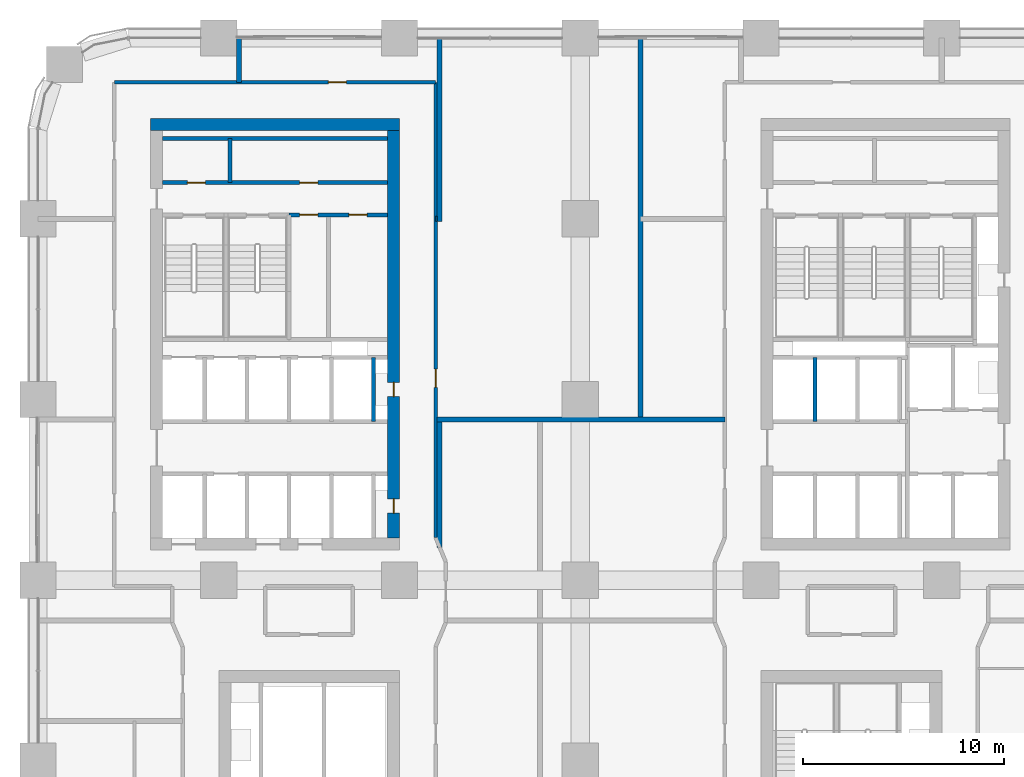
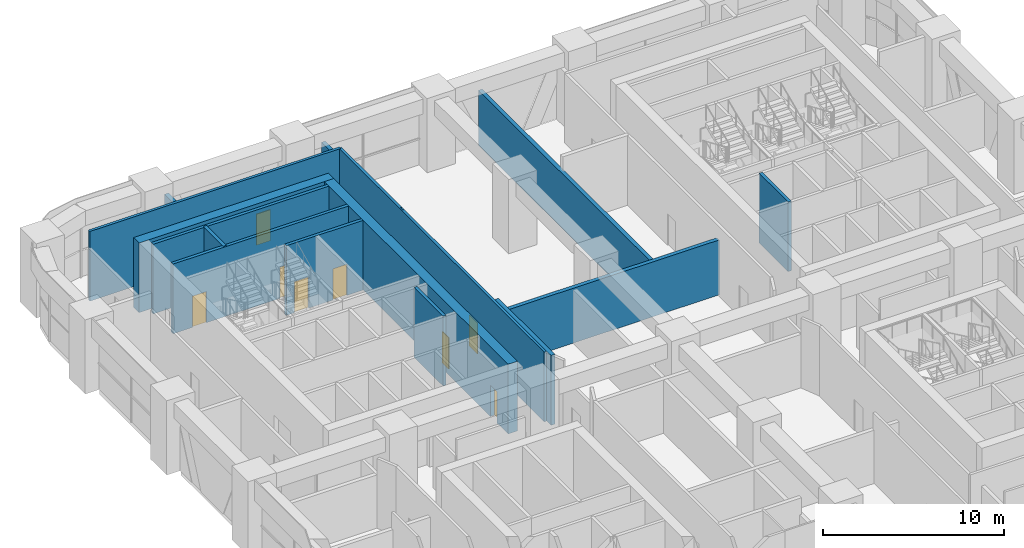
# One storey, part 19 of 26: 16 walls, 8 doors, 8 openings.
"""IFC4 building model written with IfcOpenShell, lengths in metres."""

from ifc_helpers import new_model, si_unit, direction, frame, frame_2d, origin, place, context, subcontext, project, spatial, rectangle, extrude, material, layer, layer_set, type_object, element, fill, save


model = new_model("IFC4")

# Units and contexts
model_context = context("Model", 3, precision=1e-05, world=origin(), true_north=direction((0.0, 1.0)))
body_context = subcontext(model_context, "Body", "Model", "MODEL_VIEW")
ifc_project = project(units=[si_unit("LENGTHUNIT", "METRE"), si_unit("AREAUNIT", "SQUARE_METRE"), si_unit("VOLUMEUNIT", "CUBIC_METRE"), si_unit("PLANEANGLEUNIT", "RADIAN"), si_unit("MASSUNIT", "GRAM", prefix="KILO")], contexts=[model_context])

# Site, building, storey
site_placement = place(None, origin())
site = spatial("IfcSite", under=ifc_project, at=site_placement, CompositionType="ELEMENT")
building_placement = place(site_placement, origin())
building = spatial("IfcBuilding", under=site, at=building_placement, Name="Tessera Arch", CompositionType="ELEMENT")
storey_placement = place(building_placement, frame((0.0, 0.0, 72.800048828125)))
storey = spatial("IfcBuildingStorey", under=building, at=storey_placement, Name="L16", CompositionType="ELEMENT", Elevation=72.800048828125)

# Wall
ifc_material_1 = material(Name="Gypsum board on steel stud", Category="steel")
ifc_layer_1 = layer(ifc_material_1, 0.125)
ifc_layer_set_1 = layer_set([ifc_layer_1], Name="Core partition 125 EI 60")
wall_type_1 = type_object("IfcWallType", Name="Core partition 125 EI 60", PredefinedType="PARTITIONING", material=ifc_layer_set_1)
wall_1_placement = place(storey_placement, frame((9.56005859375, 46.800048828125, 0.0), z_axis=(0.0, 0.0, 1.0), x_axis=(0.0, 1.0, 0.0)))
element("IfcWall", 1, at=wall_1_placement, inside=storey, type_object=wall_type_1, Name="L16 C2 partition wall 6", PredefinedType="PARTITIONING", context=body_context, shape_type="SweptSolid", body=[
    extrude(rectangle(XDim=2.199951171875, YDim=0.199951171875, at=frame_2d((1.10009765625, 0.0))), origin(), (0.0, 0.0, 1.0), 4.699951171875),
])

# Wall, openings, doors
wall_2_placement = place(storey_placement, frame((12.5, 45.199951171875, 0.0), z_axis=(0.0, 0.0, 1.0), x_axis=(1.0, 0.0, 0.0)))
wall_2 = element("IfcWall", 2, at=wall_2_placement, inside=storey, type_object=wall_type_1, Name="L16 C2 partition wall 26", PredefinedType="PARTITIONING", context=body_context, shape_type="SweptSolid", body=[
    extrude(rectangle(XDim=4.89990234375, YDim=0.199951171875, at=frame_2d((2.449951171875, 0.0))), origin(), (0.0, 0.0, 1.0), 4.699951171875),
])
opening_1_placement = place(wall_2_placement, frame((0.530029296875, 0.0, 0.0)))
opening_1 = element("IfcOpeningElement", 3, at=opening_1_placement, cuts=wall_2, Name="Opening L16-C30", PredefinedType="OPENING", context=body_context, shape_type="SweptSolid", body=[
    extrude(rectangle(XDim=0.89990234375, YDim=2.10009765625, at=frame_2d((0.449951171875, 1.050048828125))), frame((0.0, 0.10986328125, 0.0), z_axis=(0.0, -1.0, 0.0), x_axis=(1.0, 0.0, 0.0)), (0.0, 0.0, 1.0), 0.219970703125),
])
opening_2_placement = place(wall_2_placement, frame((2.97998046875, 0.0, 0.0)))
opening_2 = element("IfcOpeningElement", 4, at=opening_2_placement, cuts=wall_2, Name="Opening L16-C31", PredefinedType="OPENING", context=body_context, shape_type="SweptSolid", body=[
    extrude(rectangle(XDim=0.89990234375, YDim=2.10009765625, at=frame_2d((0.449951171875, 1.050048828125))), frame((0.0, 0.10986328125, 0.0), z_axis=(0.0, -1.0, 0.0), x_axis=(1.0, 0.0, 0.0)), (0.0, 0.0, 1.0), 0.219970703125),
])
ifc_material_2 = material(Name="Steel door leaf", Category="steel")
door_type_1 = type_object("IfcDoorType", Name="Store door FD30S 900 x 2100", OperationType="SINGLE_SWING_LEFT", PredefinedType="DOOR", material=ifc_material_2)
door_1_placement = place(opening_1_placement, origin())
door_1 = element("IfcDoor", 5, at=door_1_placement, inside=storey, type_object=door_type_1, Name="L16 C2 door 17 C30 type D09", OperationType="SINGLE_SWING_LEFT", OverallHeight=2.10009765625, OverallWidth=0.89990234375, PredefinedType="DOOR", context=body_context, shape_type="SweptSolid", body=[
    extrude(rectangle(XDim=0.89990234375, YDim=2.10009765625, at=frame_2d((0.449951171875, 1.050048828125))), frame((0.0, 0.02490234375, 0.0), z_axis=(0.0, -1.0, 0.0), x_axis=(1.0, 0.0, 0.0)), (0.0, 0.0, 1.0), 0.050048828125),
])
fill(opening_1, door_1)
door_2_placement = place(opening_2_placement, origin())
door_2 = element("IfcDoor", 6, at=door_2_placement, inside=storey, type_object=door_type_1, Name="L16 C2 door 18 C31 type D09", OperationType="SINGLE_SWING_RIGHT", OverallHeight=2.10009765625, OverallWidth=0.89990234375, PredefinedType="DOOR", context=body_context, shape_type="SweptSolid", body=[
    extrude(rectangle(XDim=0.89990234375, YDim=2.10009765625, at=frame_2d((0.449951171875, 1.050048828125))), frame((0.0, 0.02490234375, 0.0), z_axis=(0.0, -1.0, 0.0), x_axis=(1.0, 0.0, 0.0)), (0.0, 0.0, 1.0), 0.050048828125),
])
fill(opening_2, door_2)

wall_3_placement = place(storey_placement, frame((6.199951171875, 46.800048828125, 0.0), z_axis=(0.0, 0.0, 1.0), x_axis=(1.0, 0.0, 0.0)))
wall_3 = element("IfcWall", 7, at=wall_3_placement, inside=storey, type_object=wall_type_1, Name="L16 C2 partition wall 30", PredefinedType="PARTITIONING", context=body_context, shape_type="SweptSolid", body=[
    extrude(rectangle(XDim=11.199951171875, YDim=0.199951171875, at=frame_2d((5.60009765625, 0.0))), origin(), (0.0, 0.0, 1.0), 4.699951171875),
])
opening_3_placement = place(wall_3_placement, frame((1.22998046875, 0.0, 0.0)))
opening_3 = element("IfcOpeningElement", 8, at=opening_3_placement, cuts=wall_3, Name="Opening L16-C28", PredefinedType="OPENING", context=body_context, shape_type="SweptSolid", body=[
    extrude(rectangle(XDim=0.89990234375, YDim=2.10009765625, at=frame_2d((0.449951171875, 1.050048828125))), frame((0.0, 0.10986328125, 0.0), z_axis=(0.0, -1.0, 0.0), x_axis=(1.0, 0.0, 0.0)), (0.0, 0.0, 1.0), 0.219970703125),
])
opening_4_placement = place(wall_3_placement, frame((6.830078125, 0.0, 0.0)))
opening_4 = element("IfcOpeningElement", 9, at=opening_4_placement, cuts=wall_3, Name="Opening L16-C29", PredefinedType="OPENING", context=body_context, shape_type="SweptSolid", body=[
    extrude(rectangle(XDim=0.89990234375, YDim=2.10009765625, at=frame_2d((0.449951171875, 1.050048828125))), frame((0.0, 0.10986328125, 0.0), z_axis=(0.0, -1.0, 0.0), x_axis=(1.0, 0.0, 0.0)), (0.0, 0.0, 1.0), 0.219970703125),
])
door_3_placement = place(opening_3_placement, origin())
door_3 = element("IfcDoor", 10, at=door_3_placement, inside=storey, type_object=door_type_1, Name="L16 C2 door 15 C28 type D09", OperationType="SINGLE_SWING_LEFT", OverallHeight=2.10009765625, OverallWidth=0.89990234375, PredefinedType="DOOR", context=body_context, shape_type="SweptSolid", body=[
    extrude(rectangle(XDim=0.89990234375, YDim=2.10009765625, at=frame_2d((0.449951171875, 1.050048828125))), frame((0.0, 0.02490234375, 0.0), z_axis=(0.0, -1.0, 0.0), x_axis=(1.0, 0.0, 0.0)), (0.0, 0.0, 1.0), 0.050048828125),
])
fill(opening_3, door_3)
door_4_placement = place(opening_4_placement, origin())
door_4 = element("IfcDoor", 11, at=door_4_placement, inside=storey, type_object=door_type_1, Name="L16 C2 door 16 C29 type D09", OperationType="SINGLE_SWING_RIGHT", OverallHeight=2.10009765625, OverallWidth=0.89990234375, PredefinedType="DOOR", context=body_context, shape_type="SweptSolid", body=[
    extrude(rectangle(XDim=0.89990234375, YDim=2.10009765625, at=frame_2d((0.449951171875, 1.050048828125))), frame((0.0, 0.02490234375, 0.0), z_axis=(0.0, -1.0, 0.0), x_axis=(1.0, 0.0, 0.0)), (0.0, 0.0, 1.0), 0.050048828125),
])
fill(opening_4, door_4)

# Walls
wall_4_placement = place(storey_placement, frame((6.199951171875, 49.0, 0.0), z_axis=(0.0, 0.0, 1.0), x_axis=(1.0, 0.0, 0.0)))
element("IfcWall", 12, at=wall_4_placement, inside=storey, type_object=wall_type_1, Name="L16 C2 partition wall 31", PredefinedType="PARTITIONING", context=body_context, shape_type="SweptSolid", body=[
    extrude(rectangle(XDim=11.199951171875, YDim=0.199951171875, at=frame_2d((5.60009765625, 0.0))), origin(), (0.0, 0.0, 1.0), 4.699951171875),
])
ifc_material_3 = material(Name="Concrete C70/85", Category="concrete")
ifc_layer_2 = layer(ifc_material_3, 0.60009765625)
ifc_layer_set_2 = layer_set([ifc_layer_2], Name="Core shell wall 600 C70-85")
wall_type_2 = type_object("IfcWallType", Name="Core shell wall 600 C70-85", PredefinedType="SHEAR", material=ifc_layer_set_2)
wall_5_placement = place(storey_placement, frame((5.60009765625, 49.699951171875, 0.0), z_axis=(0.0, 0.0, 1.0), x_axis=(1.0, 0.0, 0.0)))
element("IfcWall", 13, at=wall_5_placement, inside=storey, type_object=wall_type_2, Name="L16 C2 core wall N", PredefinedType="SHEAR", context=body_context, shape_type="SweptSolid", body=[
    extrude(rectangle(XDim=12.39990234375, YDim=0.60009765625, at=frame_2d((6.199951171875, 0.0))), origin(), (0.0, 0.0, 1.0), 4.699951171875),
])

# Wall, openings, doors
wall_6_placement = place(storey_placement, frame((17.699951171875, 29.10009765625, 0.0), z_axis=(0.0, 0.0, 1.0), x_axis=(0.0, 1.0, 0.0)))
wall_6 = element("IfcWall", 14, at=wall_6_placement, inside=storey, type_object=wall_type_2, Name="L16 C2 core wall E", PredefinedType="SHEAR", context=body_context, shape_type="SweptSolid", body=[
    extrude(rectangle(XDim=20.2998046875, YDim=0.60009765625, at=frame_2d((10.14990234375, 0.0))), origin(), (0.0, 0.0, 1.0), 4.699951171875),
])
opening_5_placement = place(wall_6_placement, frame((1.25, 0.0, 0.0)))
opening_5 = element("IfcOpeningElement", 15, at=opening_5_placement, cuts=wall_6, Name="Opening L16-C22", PredefinedType="OPENING", context=body_context, shape_type="SweptSolid", body=[
    extrude(rectangle(XDim=0.699951171875, YDim=2.10009765625, at=frame_2d((0.35009765625, 1.050048828125))), frame((0.0, 0.31005859375, 0.0), z_axis=(0.0, -1.0, 0.0), x_axis=(1.0, 0.0, 0.0)), (0.0, 0.0, 1.0), 0.6201171875),
])
opening_6_placement = place(wall_6_placement, frame((7.050048828125, 0.0, 0.0)))
opening_6 = element("IfcOpeningElement", 16, at=opening_6_placement, cuts=wall_6, Name="Opening L16-C23", PredefinedType="OPENING", context=body_context, shape_type="SweptSolid", body=[
    extrude(rectangle(XDim=0.699951171875, YDim=2.10009765625, at=frame_2d((0.35009765625, 1.050048828125))), frame((0.0, 0.31005859375, 0.0), z_axis=(0.0, -1.0, 0.0), x_axis=(1.0, 0.0, 0.0)), (0.0, 0.0, 1.0), 0.6201171875),
])
ifc_material_4 = material(Name="Steel door leaf", Category="steel")
door_type_2 = type_object("IfcDoorType", Name="Service shaft door FD60 700 x 2100", OperationType="SINGLE_SWING_LEFT", PredefinedType="DOOR", material=ifc_material_4)
door_5_placement = place(opening_5_placement, origin())
door_5 = element("IfcDoor", 17, at=door_5_placement, inside=storey, type_object=door_type_2, Name="L16 C2 door 9 C22 type D07", OperationType="SINGLE_SWING_LEFT", OverallHeight=2.10009765625, OverallWidth=0.699951171875, PredefinedType="DOOR", context=body_context, shape_type="SweptSolid", body=[
    extrude(rectangle(XDim=0.699951171875, YDim=2.10009765625, at=frame_2d((0.35009765625, 1.050048828125))), frame((0.0, 0.02490234375, 0.0), z_axis=(0.0, -1.0, 0.0), x_axis=(1.0, 0.0, 0.0)), (0.0, 0.0, 1.0), 0.050048828125),
])
fill(opening_5, door_5)
door_6_placement = place(opening_6_placement, origin())
door_6 = element("IfcDoor", 18, at=door_6_placement, inside=storey, type_object=door_type_2, Name="L16 C2 door 10 C23 type D07", OperationType="SINGLE_SWING_LEFT", OverallHeight=2.10009765625, OverallWidth=0.699951171875, PredefinedType="DOOR", context=body_context, shape_type="SweptSolid", body=[
    extrude(rectangle(XDim=0.699951171875, YDim=2.10009765625, at=frame_2d((0.35009765625, 1.050048828125))), frame((0.0, 0.02490234375, 0.0), z_axis=(0.0, -1.0, 0.0), x_axis=(1.0, 0.0, 0.0)), (0.0, 0.0, 1.0), 0.050048828125),
])
fill(opening_6, door_6)

# Wall, opening, door
ifc_material_5 = material(Name="Gypsum board on deep steel stud with mineral wool", Category="steel")
ifc_layer_3 = layer(ifc_material_5, 0.175048828125)
ifc_layer_set_3 = layer_set([ifc_layer_3], Name="Corridor wall 175 EI 60")
wall_type_3 = type_object("IfcWallType", Name="Corridor wall 175 EI 60", PredefinedType="PARTITIONING", material=ifc_layer_set_3)
wall_7_placement = place(storey_placement, frame((3.800048828125, 51.800048828125, 0.0), z_axis=(0.0, 0.0, 1.0), x_axis=(1.0, 0.0, 0.0)))
wall_7 = element("IfcWall", 19, at=wall_7_placement, inside=storey, type_object=wall_type_3, Name="L16 partition 9", PredefinedType="PARTITIONING", context=body_context, shape_type="SweptSolid", body=[
    extrude(rectangle(XDim=16.0, YDim=0.175048828125, at=frame_2d((8.0, 0.0))), origin(), (0.0, 0.0, 1.0), 4.699951171875),
])
opening_7_placement = place(wall_7_placement, frame((10.64990234375, 0.0, 0.0)))
opening_7 = element("IfcOpeningElement", 20, at=opening_7_placement, cuts=wall_7, Name="Opening L16-D042", PredefinedType="OPENING", context=body_context, shape_type="SweptSolid", body=[
    extrude(rectangle(XDim=0.89990234375, YDim=2.10009765625, at=frame_2d((0.449951171875, 1.050048828125))), frame((0.0, 0.097412109375, 0.0), z_axis=(0.0, -1.0, 0.0), x_axis=(1.0, 0.0, 0.0)), (0.0, 0.0, 1.0), 0.195068359375),
])
ifc_material_6 = material(Name="Timber door leaf", Category="wood")
door_type_3 = type_object("IfcDoorType", Name="Room door 900 x 2100", OperationType="SINGLE_SWING_LEFT", PredefinedType="DOOR", material=ifc_material_6)
door_7_placement = place(opening_7_placement, origin())
door_7 = element("IfcDoor", 21, at=door_7_placement, inside=storey, type_object=door_type_3, Name="L16 door D042 type D01", OperationType="SINGLE_SWING_RIGHT", OverallHeight=2.10009765625, OverallWidth=0.89990234375, PredefinedType="DOOR", context=body_context, shape_type="SweptSolid", body=[
    extrude(rectangle(XDim=0.89990234375, YDim=2.10009765625, at=frame_2d((0.449951171875, 1.050048828125))), frame((0.0, 0.02490234375, 0.0), z_axis=(0.0, -1.0, 0.0), x_axis=(1.0, 0.0, 0.0)), (0.0, 0.0, 1.0), 0.050048828125),
])
fill(opening_7, door_7)

wall_8_placement = place(storey_placement, frame((19.800048828125, 29.1201171875, 0.0), z_axis=(0.0, 0.0, 1.0), x_axis=(0.0, 1.0, 0.0)))
wall_8 = element("IfcWall", 22, at=wall_8_placement, inside=storey, type_object=wall_type_3, Name="L16 partition 17", PredefinedType="PARTITIONING", context=body_context, shape_type="SweptSolid", body=[
    extrude(rectangle(XDim=22.679931640625, YDim=0.175048828125, at=frame_2d((11.33984375, 0.0))), origin(), (0.0, 0.0, 1.0), 4.699951171875),
])
opening_8_placement = place(wall_8_placement, frame((7.489990234375, 0.0, 0.0)))
opening_8 = element("IfcOpeningElement", 23, at=opening_8_placement, cuts=wall_8, Name="Opening L16-D038", PredefinedType="OPENING", context=body_context, shape_type="SweptSolid", body=[
    extrude(rectangle(XDim=0.89990234375, YDim=2.10009765625, at=frame_2d((0.449951171875, 1.050048828125))), frame((0.0, 0.097412109375, 0.0), z_axis=(0.0, -1.0, 0.0), x_axis=(1.0, 0.0, 0.0)), (0.0, 0.0, 1.0), 0.195068359375),
])
door_8_placement = place(opening_8_placement, origin())
door_8 = element("IfcDoor", 24, at=door_8_placement, inside=storey, type_object=door_type_3, Name="L16 door D038 type D01", OperationType="SINGLE_SWING_LEFT", OverallHeight=2.10009765625, OverallWidth=0.89990234375, PredefinedType="DOOR", context=body_context, shape_type="SweptSolid", body=[
    extrude(rectangle(XDim=0.89990234375, YDim=2.10009765625, at=frame_2d((0.449951171875, 1.050048828125))), frame((0.0, 0.02490234375, 0.0), z_axis=(0.0, -1.0, 0.0), x_axis=(1.0, 0.0, 0.0)), (0.0, 0.0, 1.0), 0.050048828125),
])
fill(opening_8, door_8)

# Walls
ifc_material_7 = material(Name="Double gypsum board on twin steel stud with acoustic mineral wool", Category="steel")
ifc_layer_4 = layer(ifc_material_7, 0.25)
ifc_layer_set_4 = layer_set([ifc_layer_4], Name="Party wall 250 EI 60")
wall_type_4 = type_object("IfcWallType", Name="Party wall 250 EI 60", PredefinedType="PARTITIONING", material=ifc_layer_set_4)
wall_9_placement = place(storey_placement, frame((19.875, 35.0, 0.0), z_axis=(0.0, 0.0, 1.0), x_axis=(1.0, 0.0, 0.0)))
element("IfcWall", 25, at=wall_9_placement, inside=storey, type_object=wall_type_4, Name="L16 partition 45", PredefinedType="PARTITIONING", context=body_context, shape_type="SweptSolid", body=[
    extrude(rectangle(XDim=14.324951171875, YDim=0.25, at=frame_2d((7.16259765625, 0.0))), origin(), (0.0, 0.0, 1.0), 3.699951171875),
])
wall_10_placement = place(storey_placement, frame((19.800048828125, 45.0, 0.0), z_axis=(0.0, 0.0, 1.0), x_axis=(1.0, 0.0, 0.0)))
element("IfcWall", 26, at=wall_10_placement, inside=storey, type_object=wall_type_4, Name="L16 partition 48", PredefinedType="PARTITIONING", context=body_context, shape_type="SweptSolid", body=[
    extrude(rectangle(XDim=0.074951171875, YDim=0.25, at=frame_2d((0.03759765625, 0.0))), origin(), (0.0, 0.0, 1.0), 4.699951171875),
])
wall_11_placement = place(storey_placement, frame((10.0, 51.800048828125, 0.0), z_axis=(0.0, 0.0, 1.0), x_axis=(0.0, 1.0, 0.0)))
element("IfcWall", 27, at=wall_11_placement, inside=storey, type_object=wall_type_4, Name="L16 partition 52", PredefinedType="PARTITIONING", context=body_context, shape_type="SweptSolid", body=[
    extrude(rectangle(XDim=2.199951171875, YDim=0.25, at=frame_2d((1.10009765625, 0.0))), origin(), (0.0, 0.0, 1.0), 3.699951171875),
])
wall_12_placement = place(storey_placement, frame((20.0, 28.639892578125, 0.0), z_axis=(0.0, 0.0, 1.0), x_axis=(0.0, 1.0, 0.0)))
element("IfcWall", 28, at=wall_12_placement, inside=storey, type_object=wall_type_4, Name="L16 partition 54", PredefinedType="PARTITIONING", context=body_context, shape_type="SweptSolid", body=[
    extrude(rectangle(XDim=6.235107421875, YDim=0.25, at=frame_2d((3.11767578125, 0.0))), origin(), (0.0, 0.0, 1.0), 4.699951171875),
])
wall_13_placement = place(storey_placement, frame((20.0, 44.875, 0.0), z_axis=(0.0, 0.0, 1.0), x_axis=(0.0, 1.0, 0.0)))
element("IfcWall", 29, at=wall_13_placement, inside=storey, type_object=wall_type_4, Name="L16 partition 55", PredefinedType="PARTITIONING", context=body_context, shape_type="SweptSolid", body=[
    extrude(rectangle(XDim=9.125, YDim=0.25, at=frame_2d((4.5625, 0.0))), origin(), (0.0, 0.0, 1.0), 3.699951171875),
])
wall_14_placement = place(storey_placement, frame((30.0, 35.0, 0.0), z_axis=(0.0, 0.0, 1.0), x_axis=(0.0, 1.0, 0.0)))
element("IfcWall", 30, at=wall_14_placement, inside=storey, type_object=wall_type_4, Name="L16 partition 57", PredefinedType="PARTITIONING", context=body_context, shape_type="SweptSolid", body=[
    extrude(rectangle(XDim=19.0, YDim=0.25, at=frame_2d((9.5, 0.0))), origin(), (0.0, 0.0, 1.0), 3.699951171875),
])
ifc_material_8 = material(Name="Concrete C40/50", Category="concrete")
ifc_layer_5 = layer(ifc_material_8, 0.199951171875)
ifc_layer_set_5 = layer_set([ifc_layer_5], Name="Shaft wall 200 EI 120")
wall_type_5 = type_object("IfcWallType", Name="Shaft wall 200 EI 120", PredefinedType="SOLIDWALL", material=ifc_layer_set_5)
for number, where, z_axis, x_axis, name in (
    (31, (38.699951171875, 34.89990234375, 0.0), (0.0, 0.0, 1.0), (0.0, 1.0, 0.0), "L16 C1 shaft wall 2"),
    (32, (16.699951171875, 34.89990234375, 0.0), (0.0, 0.0, 1.0), (0.0, 1.0, 0.0), "L16 C2 shaft wall 18"),
):
    element("IfcWall", number, at=place(storey_placement, frame(where, z_axis=z_axis, x_axis=x_axis)), inside=storey, type_object=wall_type_5, Name=name, PredefinedType="SOLIDWALL", context=body_context, shape_type="SweptSolid", body=[
        extrude(rectangle(XDim=3.2001953125, YDim=0.199951171875, at=frame_2d((1.60009765625, 0.0))), origin(), (0.0, 0.0, 1.0), 4.699951171875),
    ])

save(model, "model.ifc")
